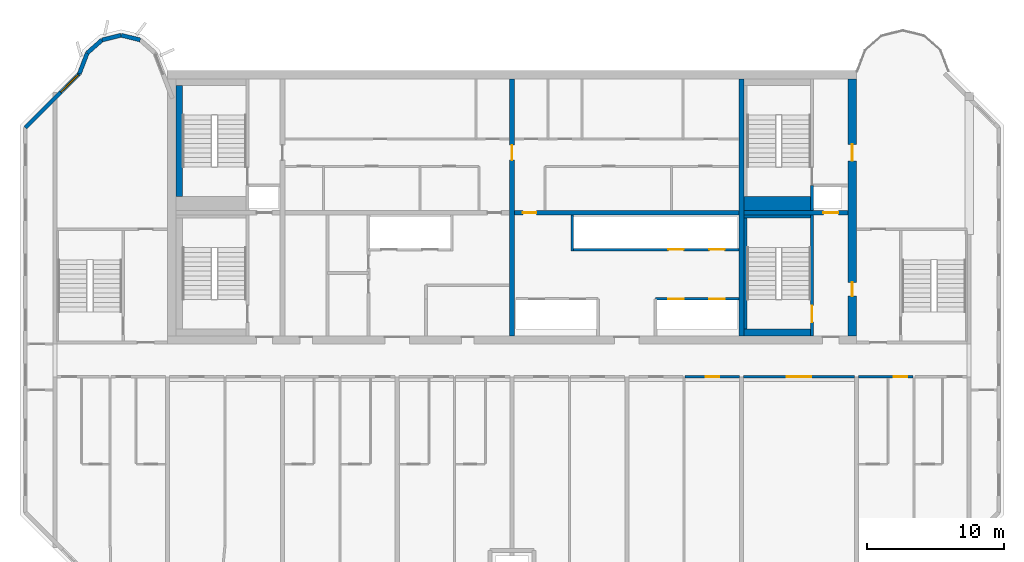
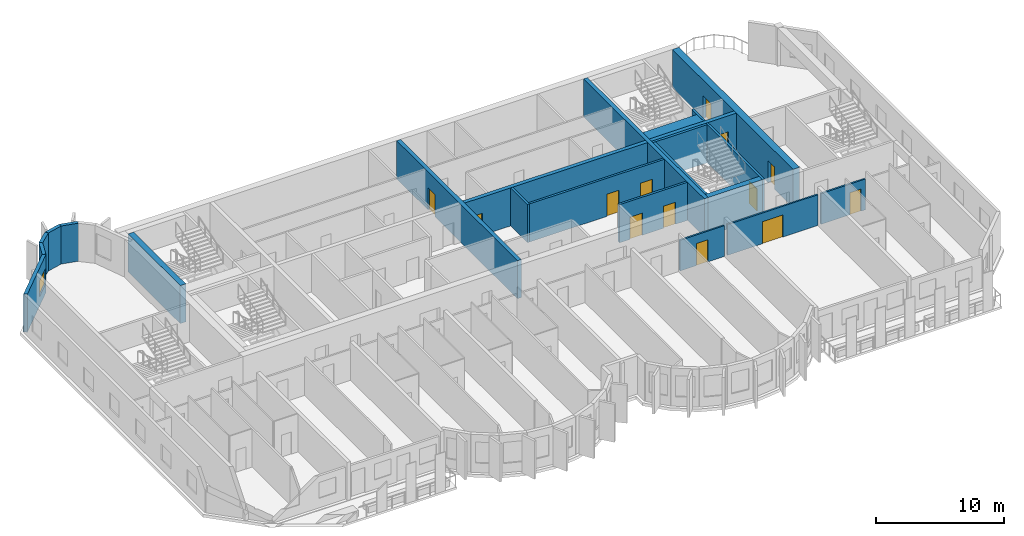
# One storey, part 6 of 12: 23 walls, 13 doors, 1 window, 14 openings.
"""IFC4 building model written with IfcOpenShell, lengths in metres."""

from ifc_helpers import new_model, si_unit, direction, frame, frame_2d, origin, place, context, subcontext, project, spatial, rectangle, extrude, source, transform, mapped, material, layer, layer_set, type_object, element, fill, save


model = new_model("IFC4")

# Units and contexts
model_context = context("Model", 3, precision=1e-05, world=origin(), true_north=direction((0.0, 1.0)))
body_context = subcontext(model_context, "Body", "Model", "MODEL_VIEW")
ifc_project = project(units=[si_unit("LENGTHUNIT", "METRE"), si_unit("AREAUNIT", "SQUARE_METRE"), si_unit("VOLUMEUNIT", "CUBIC_METRE"), si_unit("PLANEANGLEUNIT", "RADIAN"), si_unit("MASSUNIT", "GRAM", prefix="KILO")], contexts=[model_context])

# Site, building, storey
site_placement = place(None, origin())
site = spatial("IfcSite", under=ifc_project, at=site_placement, CompositionType="ELEMENT")
building_placement = place(site_placement, origin())
building = spatial("IfcBuilding", under=site, at=building_placement, Name="Vanashikhar Sky Hotel", CompositionType="ELEMENT")
storey_placement = place(building_placement, frame((0.0, 0.0, 237.39990234375)))
storey = spatial("IfcBuildingStorey", under=building, at=storey_placement, Name="L57", CompositionType="ELEMENT", Elevation=237.39990234375)

# Wall, openings, doors
ifc_material_1 = material(Name="Concrete M60", Category="concrete")
ifc_layer_1 = layer(ifc_material_1, 0.60009765625)
ifc_layer_set_1 = layer_set([ifc_layer_1], Name="RC core shell wall 600 Concrete M60")
wall_type_1 = type_object("IfcWallType", Name="RC core shell wall 600 Concrete M60", PredefinedType="SHEAR", material=ifc_layer_set_1)
shared_shape_1 = source(origin(), body_context, "Body", "SweptSolid", [
    extrude(rectangle(XDim=18.7998046875, YDim=0.60009765625, at=frame_2d((9.39990234375, 0.0))), origin(), (0.0, 0.0, 1.0), 3.6201171875),
])
wall_1_placement = place(storey_placement, frame((75.300048828125, 22.60009765625, 0.0), z_axis=(0.0, 0.0, 1.0), x_axis=(0.0, 1.0, 0.0)))
wall_1 = element("IfcWall", 1, at=wall_1_placement, inside=storey, type_object=wall_type_1, Name="KW-L57-KE", PredefinedType="SHEAR", context=body_context, shape_type="MappedRepresentation", body=[
    mapped(shared_shape_1, transform((0.0, 0.0, 0.0), scale=1.0)),
])
shared_shape_2 = source(origin(), body_context, "Body", "SweptSolid", [
    extrude(rectangle(XDim=1.0, YDim=2.10009765625, at=frame_2d((0.5, 1.050048828125))), frame((0.0, 0.31005859375, 0.0), z_axis=(0.0, -1.0, 0.0), x_axis=(1.0, 0.0, 0.0)), (0.0, 0.0, 1.0), 0.6201171875),
])
opening_1_placement = place(wall_1_placement, frame((2.89990234375, 0.0, 0.0)))
opening_1 = element("IfcOpeningElement", 2, at=opening_1_placement, cuts=wall_1, Name="Opening DC-5", PredefinedType="OPENING", context=body_context, shape_type="MappedRepresentation", body=[
    mapped(shared_shape_2, transform((0.0, 0.0, 0.0), scale=1.0)),
])
shared_shape_3 = source(origin(), body_context, "Body", "SweptSolid", [
    extrude(rectangle(XDim=1.199951171875, YDim=2.10009765625, at=frame_2d((0.60009765625, 1.050048828125))), frame((0.0, 0.31005859375, 0.0), z_axis=(0.0, -1.0, 0.0), x_axis=(1.0, 0.0, 0.0)), (0.0, 0.0, 1.0), 0.6201171875),
])
opening_2_placement = place(wall_1_placement, frame((12.800048828125, 0.0, 0.0)))
opening_2 = element("IfcOpeningElement", 3, at=opening_2_placement, cuts=wall_1, Name="Opening DC-4-D", PredefinedType="OPENING", context=body_context, shape_type="MappedRepresentation", body=[
    mapped(shared_shape_3, transform((0.0, 0.0, 0.0), scale=1.0)),
])
ifc_material_2 = material(Name="Steel", Category="steel")
door_type_1 = type_object("IfcDoorType", Name="Refuge door 1000 FD120", OperationType="NOTDEFINED", PredefinedType="DOOR", material=ifc_material_2)
shared_shape_4 = source(origin(), body_context, "Body", "SweptSolid", [
    extrude(rectangle(XDim=1.0, YDim=2.10009765625, at=frame_2d((0.5, 1.050048828125))), frame((0.0, 0.02490234375, 0.0), z_axis=(0.0, -1.0, 0.0), x_axis=(1.0, 0.0, 0.0)), (0.0, 0.0, 1.0), 0.050048828125),
])
door_1_placement = place(opening_1_placement, origin())
door_1 = element("IfcDoor", 4, at=door_1_placement, inside=storey, type_object=door_type_1, Name="Refuge door 1000 FD120", OperationType="SINGLE_SWING_LEFT", OverallHeight=2.10009765625, OverallWidth=1.0, PredefinedType="DOOR", context=body_context, shape_type="MappedRepresentation", body=[
    mapped(shared_shape_4, transform((0.0, 0.0, 0.0), scale=1.0)),
])
fill(opening_1, door_1)
door_type_2 = type_object("IfcDoorType", Name="Service door 1200 FD120", OperationType="NOTDEFINED", PredefinedType="DOOR", material=ifc_material_2)
shared_shape_5 = source(origin(), body_context, "Body", "SweptSolid", [
    extrude(rectangle(XDim=1.199951171875, YDim=2.10009765625, at=frame_2d((0.60009765625, 1.050048828125))), frame((0.0, 0.02490234375, 0.0), z_axis=(0.0, -1.0, 0.0), x_axis=(1.0, 0.0, 0.0)), (0.0, 0.0, 1.0), 0.050048828125),
])
door_2_placement = place(opening_2_placement, origin())
door_2 = element("IfcDoor", 5, at=door_2_placement, inside=storey, type_object=door_type_2, Name="Service door 1200 FD120", OperationType="SINGLE_SWING_RIGHT", OverallHeight=2.10009765625, OverallWidth=1.199951171875, PredefinedType="DOOR", context=body_context, shape_type="MappedRepresentation", body=[
    mapped(shared_shape_5, transform((0.0, 0.0, 0.0), scale=1.0)),
])
fill(opening_2, door_2)

# Wall, opening, door
ifc_layer_2 = layer(ifc_material_1, 0.35009765625)
ifc_layer_set_2 = layer_set([ifc_layer_2], Name="RC core inner wall 350 Concrete M60")
wall_type_2 = type_object("IfcWallType", Name="RC core inner wall 350 Concrete M60", PredefinedType="SHEAR", material=ifc_layer_set_2)
shared_shape_6 = source(origin(), body_context, "Body", "SweptSolid", [
    extrude(rectangle(XDim=18.7998046875, YDim=0.35009765625, at=frame_2d((9.39990234375, 0.0))), origin(), (0.0, 0.0, 1.0), 3.6201171875),
])
wall_2_placement = place(storey_placement, frame((50.39990234375, 22.60009765625, 0.0), z_axis=(0.0, 0.0, 1.0), x_axis=(0.0, 1.0, 0.0)))
wall_2 = element("IfcWall", 6, at=wall_2_placement, inside=storey, type_object=wall_type_2, Name="KW-L57-KX2", PredefinedType="SHEAR", context=body_context, shape_type="MappedRepresentation", body=[
    mapped(shared_shape_6, transform((0.0, 0.0, 0.0), scale=1.0)),
])
shared_shape_7 = source(origin(), body_context, "Body", "SweptSolid", [
    extrude(rectangle(XDim=1.10009765625, YDim=2.10009765625, at=frame_2d((0.550048828125, 1.050048828125))), frame((0.0, 0.18505859375, 0.0), z_axis=(0.0, -1.0, 0.0), x_axis=(1.0, 0.0, 0.0)), (0.0, 0.0, 1.0), 0.3701171875),
])
opening_3_placement = place(wall_2_placement, frame((12.85009765625, 0.0, 0.0)))
opening_3 = element("IfcOpeningElement", 7, at=opening_3_placement, cuts=wall_2, Name="Opening DC-4-C", PredefinedType="OPENING", context=body_context, shape_type="MappedRepresentation", body=[
    mapped(shared_shape_7, transform((0.0, 0.0, 0.0), scale=1.0)),
])
door_type_3 = type_object("IfcDoorType", Name="Service door 1100 FD60", OperationType="NOTDEFINED", PredefinedType="DOOR", material=ifc_material_2)
shared_shape_8 = source(origin(), body_context, "Body", "SweptSolid", [
    extrude(rectangle(XDim=1.10009765625, YDim=2.10009765625, at=frame_2d((0.550048828125, 1.050048828125))), frame((0.0, 0.02490234375, 0.0), z_axis=(0.0, -1.0, 0.0), x_axis=(1.0, 0.0, 0.0)), (0.0, 0.0, 1.0), 0.050048828125),
])
door_3_placement = place(opening_3_placement, origin())
door_3 = element("IfcDoor", 8, at=door_3_placement, inside=storey, type_object=door_type_3, Name="Service door 1100 FD60", OperationType="SINGLE_SWING_LEFT", OverallHeight=2.10009765625, OverallWidth=1.10009765625, PredefinedType="DOOR", context=body_context, shape_type="MappedRepresentation", body=[
    mapped(shared_shape_8, transform((0.0, 0.0, 0.0), scale=1.0)),
])
fill(opening_3, door_3)

# Wall
wall_3_placement = place(storey_placement, frame((67.199951171875, 22.60009765625, 0.0), z_axis=(0.0, 0.0, 1.0), x_axis=(0.0, 1.0, 0.0)))
element("IfcWall", 9, at=wall_3_placement, inside=storey, type_object=wall_type_2, Name="KW-L57-KX3", PredefinedType="SHEAR", context=body_context, shape_type="MappedRepresentation", body=[
    mapped(shared_shape_6, transform((0.0, 0.0, 0.0), scale=1.0)),
])

# Wall, opening, door
shared_shape_9 = source(origin(), body_context, "Body", "SweptSolid", [
    extrude(rectangle(XDim=7.625, YDim=0.35009765625, at=frame_2d((3.8125, 0.0))), origin(), (0.0, 0.0, 1.0), 3.6201171875),
])
wall_4_placement = place(storey_placement, frame((67.375, 31.60009765625, 0.0), z_axis=(0.0, 0.0, 1.0), x_axis=(1.0, 0.0, 0.0)))
wall_4 = element("IfcWall", 10, at=wall_4_placement, inside=storey, type_object=wall_type_2, Name="KW-L57-KY4", PredefinedType="SHEAR", context=body_context, shape_type="MappedRepresentation", body=[
    mapped(shared_shape_9, transform((0.0, 0.0, 0.0), scale=1.0)),
])
opening_4_placement = place(wall_4_placement, frame((5.800048828125, 0.0, 0.0)))
opening_4 = element("IfcOpeningElement", 11, at=opening_4_placement, cuts=wall_4, Name="Opening LD", PredefinedType="OPENING", context=body_context, shape_type="MappedRepresentation", body=[
    mapped(shared_shape_7, transform((0.0, 0.0, 0.0), scale=1.0)),
])
ifc_material_3 = material(Name="Stainless steel", Category="steel")
door_type_4 = type_object("IfcDoorType", Name="Lift landing door 1100", OperationType="NOTDEFINED", PredefinedType="DOOR", material=ifc_material_3)
door_4_placement = place(opening_4_placement, origin())
door_4 = element("IfcDoor", 12, at=door_4_placement, inside=storey, type_object=door_type_4, Name="Lift landing door 1100", OperationType="SLIDING_TO_RIGHT", OverallHeight=2.10009765625, OverallWidth=1.10009765625, PredefinedType="DOOR", context=body_context, shape_type="MappedRepresentation", body=[
    mapped(shared_shape_8, transform((0.0, 0.0, 0.0), scale=1.0)),
])
fill(opening_4, door_4)

shared_shape_10 = source(origin(), body_context, "Body", "SweptSolid", [
    extrude(rectangle(XDim=16.449951171875, YDim=0.35009765625, at=frame_2d((8.22509765625, 0.0))), origin(), (0.0, 0.0, 1.0), 3.6201171875),
])
wall_5_placement = place(storey_placement, frame((50.574951171875, 31.60009765625, 0.0), z_axis=(0.0, 0.0, 1.0), x_axis=(1.0, 0.0, 0.0)))
wall_5 = element("IfcWall", 13, at=wall_5_placement, inside=storey, type_object=wall_type_2, Name="KW-L57-KY3", PredefinedType="SHEAR", context=body_context, shape_type="MappedRepresentation", body=[
    mapped(shared_shape_10, transform((0.0, 0.0, 0.0), scale=1.0)),
])
shared_shape_11 = source(origin(), body_context, "Body", "SweptSolid", [
    extrude(rectangle(XDim=1.0, YDim=2.10009765625, at=frame_2d((0.5, 1.050048828125))), frame((0.0, 0.18505859375, 0.0), z_axis=(0.0, -1.0, 0.0), x_axis=(1.0, 0.0, 0.0)), (0.0, 0.0, 1.0), 0.3701171875),
])
opening_5_placement = place(wall_5_placement, frame((0.613037109375, 0.0, 0.0)))
opening_5 = element("IfcOpeningElement", 14, at=opening_5_placement, cuts=wall_5, Name="Opening DC-4", PredefinedType="OPENING", context=body_context, shape_type="MappedRepresentation", body=[
    mapped(shared_shape_11, transform((0.0, 0.0, 0.0), scale=1.0)),
])
door_type_5 = type_object("IfcDoorType", Name="Service door 1000 FD60", OperationType="NOTDEFINED", PredefinedType="DOOR", material=ifc_material_2)
door_5_placement = place(opening_5_placement, origin())
door_5 = element("IfcDoor", 15, at=door_5_placement, inside=storey, type_object=door_type_5, Name="Service door 1000 FD60", OperationType="SINGLE_SWING_RIGHT", OverallHeight=2.10009765625, OverallWidth=1.0, PredefinedType="DOOR", context=body_context, shape_type="MappedRepresentation", body=[
    mapped(shared_shape_4, transform((0.0, 0.0, 0.0), scale=1.0)),
])
fill(opening_5, door_5)

# Wall, opening, window
ifc_material_4 = material(Name="Concrete M50", Category="concrete")
ifc_layer_3 = layer(ifc_material_4, 0.300048828125)
ifc_layer_set_3 = layer_set([ifc_layer_3], Name="Lobe wall 300")
wall_type_3 = type_object("IfcWallType", Name="Lobe wall 300", PredefinedType="SOLIDWALL", material=ifc_layer_set_3)
shared_shape_12 = source(origin(), body_context, "Body", "SweptSolid", [
    extrude(rectangle(XDim=5.576416015625, YDim=0.300048828125, at=frame_2d((2.7880859375, 0.0))), origin(), (0.0, 0.0, 1.0), 3.6201171875),
])
wall_6_placement = place(storey_placement, frame((18.7431640625, 41.77734375, 0.0), z_axis=(0.0, 0.0, 1.0), x_axis=(-0.707106781187, -0.707106781187, 0.0)))
wall_6 = element("IfcWall", 16, at=wall_6_placement, inside=storey, type_object=wall_type_3, Name="Corner wall", PredefinedType="SOLIDWALL", context=body_context, shape_type="MappedRepresentation", body=[
    mapped(shared_shape_12, transform((0.0, 0.0, 0.0), scale=1.0)),
])
shared_shape_13 = source(origin(), body_context, "Body", "SweptSolid", [
    extrude(rectangle(XDim=1.800048828125, YDim=1.5, at=frame_2d((0.89990234375, 0.75))), frame((0.0, 0.16015625, 0.0), z_axis=(0.0, -1.0, 0.0), x_axis=(1.0, 0.0, 0.0)), (0.0, 0.0, 1.0), 0.320068359375),
])
opening_6_placement = place(wall_6_placement, frame((0.117919921875, 0.0, 0.89990234375)))
opening_6 = element("IfcOpeningElement", 17, at=opening_6_placement, cuts=wall_6, Name="Opening WN-4", PredefinedType="OPENING", context=body_context, shape_type="MappedRepresentation", body=[
    mapped(shared_shape_13, transform((0.0, 0.0, 0.0), scale=1.0)),
])
ifc_material_5 = material(Name="Glass", Category="glass")
window_type = type_object("IfcWindowType", Name="Corner window 1800 x 1500", PartitioningType="SINGLE_PANEL", PredefinedType="WINDOW", material=ifc_material_5)
shared_shape_14 = source(origin(), body_context, "Body", "SweptSolid", [
    extrude(rectangle(XDim=1.800048828125, YDim=1.5, at=frame_2d((0.89990234375, 0.75))), frame((0.0, 0.030029296875, 0.0), z_axis=(0.0, -1.0, 0.0), x_axis=(1.0, 0.0, 0.0)), (0.0, 0.0, 1.0), 0.06005859375),
])
window_placement = place(opening_6_placement, origin())
window = element("IfcWindow", 18, at=window_placement, inside=storey, type_object=window_type, Name="Window WN-4", OverallHeight=1.5, OverallWidth=1.800048828125, PartitioningType="SINGLE_PANEL", PredefinedType="WINDOW", context=body_context, shape_type="MappedRepresentation", body=[
    mapped(shared_shape_14, transform((0.0, 0.0, 0.0), scale=1.0)),
])
fill(opening_6, window)

# Walls
shared_shape_15 = source(origin(), body_context, "Body", "SweptSolid", [
    extrude(rectangle(XDim=1.6220703125, YDim=0.300048828125, at=frame_2d((0.81103515625, 0.0))), origin(), (0.0, 0.0, 1.0), 3.6201171875),
])
wall_7_placement = place(storey_placement, frame((19.323486328125, 43.2919921875, 0.0), z_axis=(0.0, 0.0, 1.0), x_axis=(-0.357778527068, -0.933806471154, 0.0)))
element("IfcWall", 19, at=wall_7_placement, inside=storey, type_object=wall_type_3, Name="Lobe wall", PredefinedType="SOLIDWALL", context=body_context, shape_type="MappedRepresentation", body=[
    mapped(shared_shape_15, transform((0.0, 0.0, 0.0), scale=1.0)),
])
shared_shape_16 = source(origin(), body_context, "Body", "SweptSolid", [
    extrude(rectangle(XDim=1.43994140625, YDim=0.300048828125, at=frame_2d((0.719970703125, 0.0))), origin(), (0.0, 0.0, 1.0), 3.6201171875),
])
wall_8_placement = place(storey_placement, frame((20.40283203125, 44.2451171875, 0.0), z_axis=(0.0, 0.0, 1.0), x_axis=(-0.74957555648, -0.661918790432, 0.0)))
element("IfcWall", 20, at=wall_8_placement, inside=storey, type_object=wall_type_3, Name="Lobe wall", PredefinedType="SOLIDWALL", context=body_context, shape_type="MappedRepresentation", body=[
    mapped(shared_shape_16, transform((0.0, 0.0, 0.0), scale=1.0)),
])
shared_shape_17 = source(origin(), body_context, "Body", "SweptSolid", [
    extrude(rectangle(XDim=1.438720703125, YDim=0.300048828125, at=frame_2d((0.71923828125, 0.0))), origin(), (0.0, 0.0, 1.0), 3.6201171875),
])
wall_9_placement = place(storey_placement, frame((21.800048828125, 44.588134765625, 0.0), z_axis=(0.0, 0.0, 1.0), x_axis=(-0.971161932466, -0.238420848351, 0.0)))
element("IfcWall", 21, at=wall_9_placement, inside=storey, type_object=wall_type_3, Name="Lobe wall", PredefinedType="SOLIDWALL", context=body_context, shape_type="MappedRepresentation", body=[
    mapped(shared_shape_17, transform((0.0, 0.0, 0.0), scale=1.0)),
])
shared_shape_18 = source(origin(), body_context, "Body", "SweptSolid", [
    extrude(rectangle(XDim=1.4384765625, YDim=0.300048828125, at=frame_2d((0.71923828125, 0.0))), origin(), (0.0, 0.0, 1.0), 3.6201171875),
])
wall_10_placement = place(storey_placement, frame((23.197021484375, 44.2451171875, 0.0), z_axis=(0.0, 0.0, 1.0), x_axis=(-0.971152283879, 0.238460146601, 0.0)))
element("IfcWall", 22, at=wall_10_placement, inside=storey, type_object=wall_type_3, Name="Lobe wall", PredefinedType="SOLIDWALL", context=body_context, shape_type="MappedRepresentation", body=[
    mapped(shared_shape_18, transform((0.0, 0.0, 0.0), scale=1.0)),
])
ifc_material_6 = material(Name="Concrete M40", Category="concrete")
ifc_layer_4 = layer(ifc_material_6, 0.199951171875)
ifc_layer_set_4 = layer_set([ifc_layer_4], Name="Shaft wall 200")
wall_type_4 = type_object("IfcWallType", Name="Shaft wall 200", PredefinedType="SOLIDWALL", material=ifc_layer_set_4)
shared_shape_19 = source(origin(), body_context, "Body", "SweptSolid", [
    extrude(rectangle(XDim=2.625, YDim=0.199951171875, at=frame_2d((1.3125, 0.0))), origin(), (0.0, 0.0, 1.0), 3.6201171875),
])
wall_11_placement = place(storey_placement, frame((54.800048828125, 28.800048828125, 0.0), z_axis=(0.0, 0.0, 1.0), x_axis=(0.0, 1.0, 0.0)))
element("IfcWall", 23, at=wall_11_placement, inside=storey, type_object=wall_type_4, Name="Shaft wall 200", PredefinedType="SOLIDWALL", context=body_context, shape_type="MappedRepresentation", body=[
    mapped(shared_shape_19, transform((0.0, 0.0, 0.0), scale=1.0)),
])

# Wall, openings, doors
shared_shape_20 = source(origin(), body_context, "Body", "SweptSolid", [
    extrude(rectangle(XDim=6.125, YDim=0.199951171875, at=frame_2d((3.0625, 0.0))), origin(), (0.0, 0.0, 1.0), 3.6201171875),
])
wall_12_placement = place(storey_placement, frame((67.02490234375, 25.300048828125, 0.0), z_axis=(0.0, 0.0, 1.0), x_axis=(-1.0, 0.0, 0.0)))
wall_12 = element("IfcWall", 24, at=wall_12_placement, inside=storey, type_object=wall_type_4, Name="Shaft wall 200", PredefinedType="SOLIDWALL", context=body_context, shape_type="MappedRepresentation", body=[
    mapped(shared_shape_20, transform((0.0, 0.0, 0.0), scale=1.0)),
])
shared_shape_21 = source(origin(), body_context, "Body", "SweptSolid", [
    extrude(rectangle(XDim=1.10009765625, YDim=2.10009765625, at=frame_2d((0.550048828125, 1.050048828125))), frame((0.0, 0.10986328125, 0.0), z_axis=(0.0, -1.0, 0.0), x_axis=(1.0, 0.0, 0.0)), (0.0, 0.0, 1.0), 0.219970703125),
])
opening_7_placement = place(wall_12_placement, frame((1.074951171875, 0.0, 0.0)))
opening_7 = element("IfcOpeningElement", 25, at=opening_7_placement, cuts=wall_12, Name="Opening LD", PredefinedType="OPENING", context=body_context, shape_type="MappedRepresentation", body=[
    mapped(shared_shape_21, transform((0.0, 0.0, 0.0), scale=1.0)),
])
opening_8_placement = place(wall_12_placement, frame((4.074951171875, 0.0, 0.0)))
opening_8 = element("IfcOpeningElement", 26, at=opening_8_placement, cuts=wall_12, Name="Opening LD", PredefinedType="OPENING", context=body_context, shape_type="MappedRepresentation", body=[
    mapped(shared_shape_21, transform((0.0, 0.0, 0.0), scale=1.0)),
])
door_6_placement = place(opening_7_placement, origin())
door_6 = element("IfcDoor", 27, at=door_6_placement, inside=storey, type_object=door_type_4, Name="Lift landing door 1100", OperationType="SLIDING_TO_RIGHT", OverallHeight=2.10009765625, OverallWidth=1.10009765625, PredefinedType="DOOR", context=body_context, shape_type="MappedRepresentation", body=[
    mapped(shared_shape_8, transform((0.0, 0.0, 0.0), scale=1.0)),
])
fill(opening_7, door_6)
door_7_placement = place(opening_8_placement, origin())
door_7 = element("IfcDoor", 28, at=door_7_placement, inside=storey, type_object=door_type_4, Name="Lift landing door 1100", OperationType="SLIDING_TO_LEFT", OverallHeight=2.10009765625, OverallWidth=1.10009765625, PredefinedType="DOOR", context=body_context, shape_type="MappedRepresentation", body=[
    mapped(shared_shape_8, transform((0.0, 0.0, 0.0), scale=1.0)),
])
fill(opening_8, door_7)

shared_shape_22 = source(origin(), body_context, "Body", "SweptSolid", [
    extrude(rectangle(XDim=12.125, YDim=0.199951171875, at=frame_2d((6.0625, 0.0))), origin(), (0.0, 0.0, 1.0), 3.6201171875),
])
wall_13_placement = place(storey_placement, frame((67.02490234375, 28.89990234375, 0.0), z_axis=(0.0, 0.0, 1.0), x_axis=(-1.0, 0.0, 0.0)))
wall_13 = element("IfcWall", 29, at=wall_13_placement, inside=storey, type_object=wall_type_4, Name="Shaft wall 200", PredefinedType="SOLIDWALL", context=body_context, shape_type="MappedRepresentation", body=[
    mapped(shared_shape_22, transform((0.0, 0.0, 0.0), scale=1.0)),
])
opening_9_placement = place(wall_13_placement, frame((1.074951171875, 0.0, 0.0)))
opening_9 = element("IfcOpeningElement", 30, at=opening_9_placement, cuts=wall_13, Name="Opening LD", PredefinedType="OPENING", context=body_context, shape_type="MappedRepresentation", body=[
    mapped(shared_shape_21, transform((0.0, 0.0, 0.0), scale=1.0)),
])
opening_10_placement = place(wall_13_placement, frame((4.074951171875, 0.0, 0.0)))
opening_10 = element("IfcOpeningElement", 31, at=opening_10_placement, cuts=wall_13, Name="Opening LD", PredefinedType="OPENING", context=body_context, shape_type="MappedRepresentation", body=[
    mapped(shared_shape_21, transform((0.0, 0.0, 0.0), scale=1.0)),
])
door_8_placement = place(opening_9_placement, origin())
door_8 = element("IfcDoor", 32, at=door_8_placement, inside=storey, type_object=door_type_4, Name="Lift landing door 1100", OperationType="SLIDING_TO_RIGHT", OverallHeight=2.10009765625, OverallWidth=1.10009765625, PredefinedType="DOOR", context=body_context, shape_type="MappedRepresentation", body=[
    mapped(shared_shape_8, transform((0.0, 0.0, 0.0), scale=1.0)),
])
fill(opening_9, door_8)
door_9_placement = place(opening_10_placement, origin())
door_9 = element("IfcDoor", 33, at=door_9_placement, inside=storey, type_object=door_type_4, Name="Lift landing door 1100", OperationType="SLIDING_TO_LEFT", OverallHeight=2.10009765625, OverallWidth=1.10009765625, PredefinedType="DOOR", context=body_context, shape_type="MappedRepresentation", body=[
    mapped(shared_shape_8, transform((0.0, 0.0, 0.0), scale=1.0)),
])
fill(opening_10, door_9)

# Wall, opening, door
ifc_layer_5 = layer(ifc_material_4, 0.199951171875)
ifc_layer_set_5 = layer_set([ifc_layer_5], Name="Stair wall 200")
wall_type_5 = type_object("IfcWallType", Name="Stair wall 200", PredefinedType="SOLIDWALL", material=ifc_layer_set_5)
shared_shape_23 = source(origin(), body_context, "Body", "SweptSolid", [
    extrude(rectangle(XDim=8.824951171875, YDim=0.199951171875, at=frame_2d((4.41259765625, 0.0))), origin(), (0.0, 0.0, 1.0), 3.6201171875),
])
wall_14_placement = place(storey_placement, frame((72.35009765625, 22.60009765625, 0.0), z_axis=(0.0, 0.0, 1.0), x_axis=(0.0, 1.0, 0.0)))
wall_14 = element("IfcWall", 34, at=wall_14_placement, inside=storey, type_object=wall_type_5, Name="Stair wall 200", PredefinedType="SOLIDWALL", context=body_context, shape_type="MappedRepresentation", body=[
    mapped(shared_shape_23, transform((0.0, 0.0, 0.0), scale=1.0)),
])
shared_shape_24 = source(origin(), body_context, "Body", "SweptSolid", [
    extrude(rectangle(XDim=1.199951171875, YDim=2.10009765625, at=frame_2d((0.60009765625, 1.050048828125))), frame((0.0, 0.10986328125, 0.0), z_axis=(0.0, -1.0, 0.0), x_axis=(1.0, 0.0, 0.0)), (0.0, 0.0, 1.0), 0.219970703125),
])
opening_11_placement = place(wall_14_placement, frame((1.0, 0.0, 0.0)))
opening_11 = element("IfcOpeningElement", 35, at=opening_11_placement, cuts=wall_14, Name="Opening DC-1", PredefinedType="OPENING", context=body_context, shape_type="MappedRepresentation", body=[
    mapped(shared_shape_24, transform((0.0, 0.0, 0.0), scale=1.0)),
])
door_type_6 = type_object("IfcDoorType", Name="Stair door 1200 FD120", OperationType="NOTDEFINED", PredefinedType="DOOR", material=ifc_material_2)
door_10_placement = place(opening_11_placement, origin())
door_10 = element("IfcDoor", 36, at=door_10_placement, inside=storey, type_object=door_type_6, Name="Stair door 1200 FD120", OperationType="SINGLE_SWING_RIGHT", OverallHeight=2.10009765625, OverallWidth=1.199951171875, PredefinedType="DOOR", context=body_context, shape_type="MappedRepresentation", body=[
    mapped(shared_shape_5, transform((0.0, 0.0, 0.0), scale=1.0)),
])
fill(opening_11, door_10)

# Walls
shared_shape_25 = source(origin(), body_context, "Body", "SweptSolid", [
    extrude(rectangle(XDim=1.8251953125, YDim=0.199951171875, at=frame_2d((0.91259765625, 0.0))), origin(), (0.0, 0.0, 1.0), 3.6201171875),
])
wall_15_placement = place(storey_placement, frame((72.35009765625, 31.77490234375, 0.0), z_axis=(0.0, 0.0, 1.0), x_axis=(0.0, 1.0, 0.0)))
element("IfcWall", 37, at=wall_15_placement, inside=storey, type_object=wall_type_4, Name="Shaft wall 200", PredefinedType="SOLIDWALL", context=body_context, shape_type="MappedRepresentation", body=[
    mapped(shared_shape_25, transform((0.0, 0.0, 0.0), scale=1.0)),
])
ifc_layer_6 = layer(ifc_material_4, 0.5)
ifc_layer_set_6 = layer_set([ifc_layer_6], Name="Stair infill wall 500")
wall_type_6 = type_object("IfcWallType", Name="Stair infill wall 500", PredefinedType="SOLIDWALL", material=ifc_layer_set_6)
shared_shape_26 = source(origin(), body_context, "Body", "SweptSolid", [
    extrude(rectangle(XDim=8.099853515625, YDim=0.5, at=frame_2d((4.0498046875, 0.0))), origin(), (0.0, 0.0, 1.0), 3.6201171875),
])
wall_16_placement = place(storey_placement, frame((26.050048828125, 32.800048828125, 0.0), z_axis=(0.0, 0.0, 1.0), x_axis=(0.0, 1.0, 0.0)))
element("IfcWall", 38, at=wall_16_placement, inside=storey, type_object=wall_type_6, Name="Stair infill wall 500", PredefinedType="SOLIDWALL", context=body_context, shape_type="MappedRepresentation", body=[
    mapped(shared_shape_26, transform((0.0, 0.0, 0.0), scale=1.0)),
])
shared_shape_27 = source(origin(), body_context, "Body", "SweptSolid", [
    extrude(rectangle(XDim=4.875, YDim=0.5, at=frame_2d((2.4375, 0.0))), origin(), (0.0, 0.0, 1.0), 3.6201171875),
])
wall_17_placement = place(storey_placement, frame((67.375, 22.85009765625, 0.0), z_axis=(0.0, 0.0, 1.0), x_axis=(1.0, 0.0, 0.0)))
element("IfcWall", 39, at=wall_17_placement, inside=storey, type_object=wall_type_6, Name="Stair infill wall 500", PredefinedType="SOLIDWALL", context=body_context, shape_type="MappedRepresentation", body=[
    mapped(shared_shape_27, transform((0.0, 0.0, 0.0), scale=1.0)),
])
ifc_layer_7 = layer(ifc_material_4, 0.22509765625)
ifc_layer_set_7 = layer_set([ifc_layer_7], Name="Stair infill wall 225")
wall_type_7 = type_object("IfcWallType", Name="Stair infill wall 225", PredefinedType="SOLIDWALL", material=ifc_layer_set_7)
shared_shape_28 = source(origin(), body_context, "Body", "SweptSolid", [
    extrude(rectangle(XDim=4.875, YDim=0.22509765625, at=frame_2d((2.4375, 0.0))), origin(), (0.0, 0.0, 1.0), 3.6201171875),
])
wall_18_placement = place(storey_placement, frame((67.375, 31.31201171875, 0.0), z_axis=(0.0, 0.0, 1.0), x_axis=(1.0, 0.0, 0.0)))
element("IfcWall", 40, at=wall_18_placement, inside=storey, type_object=wall_type_7, Name="Stair infill wall 225", PredefinedType="SOLIDWALL", context=body_context, shape_type="MappedRepresentation", body=[
    mapped(shared_shape_28, transform((0.0, 0.0, 0.0), scale=1.0)),
])
shared_shape_29 = source(origin(), body_context, "Body", "SweptSolid", [
    extrude(rectangle(XDim=8.099853515625, YDim=0.22509765625, at=frame_2d((4.0498046875, 0.0))), origin(), (0.0, 0.0, 1.0), 3.6201171875),
])
wall_19_placement = place(storey_placement, frame((67.487060546875, 23.10009765625, 0.0), z_axis=(0.0, 0.0, 1.0), x_axis=(0.0, 1.0, 0.0)))
element("IfcWall", 41, at=wall_19_placement, inside=storey, type_object=wall_type_7, Name="Stair infill wall 225", PredefinedType="SOLIDWALL", context=body_context, shape_type="MappedRepresentation", body=[
    mapped(shared_shape_29, transform((0.0, 0.0, 0.0), scale=1.0)),
])
ifc_layer_8 = layer(ifc_material_4, 1.02490234375)
ifc_layer_set_8 = layer_set([ifc_layer_8], Name="Stair infill wall 1025")
wall_type_8 = type_object("IfcWallType", Name="Stair infill wall 1025", PredefinedType="SOLIDWALL", material=ifc_layer_set_8)
shared_shape_30 = source(origin(), body_context, "Body", "SweptSolid", [
    extrude(rectangle(XDim=4.875, YDim=1.02490234375, at=frame_2d((2.4375, 0.0))), origin(), (0.0, 0.0, 1.0), 3.6201171875),
])
wall_20_placement = place(storey_placement, frame((67.375, 32.287109375, 0.0), z_axis=(0.0, 0.0, 1.0), x_axis=(1.0, 0.0, 0.0)))
element("IfcWall", 42, at=wall_20_placement, inside=storey, type_object=wall_type_8, Name="Stair infill wall 1025", PredefinedType="SOLIDWALL", context=body_context, shape_type="MappedRepresentation", body=[
    mapped(shared_shape_30, transform((0.0, 0.0, 0.0), scale=1.0)),
])

# Wall, opening, door
ifc_material_7 = material(Name="Gypsum plasterboard partition")
ifc_layer_9 = layer(ifc_material_7, 0.14990234375)
ifc_layer_set_9 = layer_set([ifc_layer_9], Name="Corridor and demising partition 150")
wall_type_9 = type_object("IfcWallType", Name="Corridor and demising partition 150", PredefinedType="PARTITIONING", material=ifc_layer_set_9)
shared_shape_31 = source(origin(), body_context, "Body", "SweptSolid", [
    extrude(rectangle(XDim=3.97509765625, YDim=0.14990234375, at=frame_2d((1.987548828125, 0.0))), origin(), (0.0, 0.0, 1.0), 2.920166015625),
])
wall_21_placement = place(storey_placement, frame((63.074951171875, 19.60009765625, 0.0), z_axis=(0.0, 0.0, 1.0), x_axis=(1.0, 0.0, 0.0)))
wall_21 = element("IfcWall", 43, at=wall_21_placement, inside=storey, type_object=wall_type_9, Name="W-L57-PW029", PredefinedType="PARTITIONING", context=body_context, shape_type="MappedRepresentation", body=[
    mapped(shared_shape_31, transform((0.0, 0.0, 0.0), scale=1.0)),
])
shared_shape_32 = source(origin(), body_context, "Body", "SweptSolid", [
    extrude(rectangle(XDim=1.0, YDim=2.10009765625, at=frame_2d((0.5, 1.050048828125))), frame((0.0, 0.0849609375, 0.0), z_axis=(0.0, -1.0, 0.0), x_axis=(1.0, 0.0, 0.0)), (0.0, 0.0, 1.0), 0.169921875),
])
opening_12_placement = place(wall_21_placement, frame((1.487060546875, 0.0, 0.0)))
opening_12 = element("IfcOpeningElement", 44, at=opening_12_placement, cuts=wall_21, Name="Opening D-01", PredefinedType="OPENING", context=body_context, shape_type="MappedRepresentation", body=[
    mapped(shared_shape_32, transform((0.0, 0.0, 0.0), scale=1.0)),
])
ifc_material_8 = material(Name="Timber fire door", Category="wood")
door_type_7 = type_object("IfcDoorType", Name="Guest entry door 1000 FD30S", OperationType="NOTDEFINED", PredefinedType="DOOR", material=ifc_material_8)
door_11_placement = place(opening_12_placement, origin())
door_11 = element("IfcDoor", 45, at=door_11_placement, inside=storey, type_object=door_type_7, Name="D-L57-018", OperationType="SINGLE_SWING_RIGHT", OverallHeight=2.10009765625, OverallWidth=1.0, PredefinedType="DOOR", context=body_context, shape_type="MappedRepresentation", body=[
    mapped(shared_shape_4, transform((0.0, 0.0, 0.0), scale=1.0)),
])
fill(opening_12, door_11)

wall_22_placement = place(storey_placement, frame((75.75, 19.60009765625, 0.0), z_axis=(0.0, 0.0, 1.0), x_axis=(1.0, 0.0, 0.0)))
wall_22 = element("IfcWall", 46, at=wall_22_placement, inside=storey, type_object=wall_type_9, Name="W-L57-PW034", PredefinedType="PARTITIONING", context=body_context, shape_type="MappedRepresentation", body=[
    mapped(shared_shape_31, transform((0.0, 0.0, 0.0), scale=1.0)),
])
opening_13_placement = place(wall_22_placement, frame((2.574951171875, 0.0, 0.0)))
opening_13 = element("IfcOpeningElement", 47, at=opening_13_placement, cuts=wall_22, Name="Opening D-01", PredefinedType="OPENING", context=body_context, shape_type="MappedRepresentation", body=[
    mapped(shared_shape_32, transform((0.0, 0.0, 0.0), scale=1.0)),
])
door_12_placement = place(opening_13_placement, origin())
door_12 = element("IfcDoor", 48, at=door_12_placement, inside=storey, type_object=door_type_7, Name="D-L57-021", OperationType="SINGLE_SWING_RIGHT", OverallHeight=2.10009765625, OverallWidth=1.0, PredefinedType="DOOR", context=body_context, shape_type="MappedRepresentation", body=[
    mapped(shared_shape_4, transform((0.0, 0.0, 0.0), scale=1.0)),
])
fill(opening_13, door_12)

shared_shape_33 = source(origin(), body_context, "Body", "SweptSolid", [
    extrude(rectangle(XDim=8.099853515625, YDim=0.14990234375, at=frame_2d((4.0498046875, 0.0))), origin(), (0.0, 0.0, 1.0), 2.920166015625),
])
wall_23_placement = place(storey_placement, frame((67.35009765625, 19.60009765625, 0.0), z_axis=(0.0, 0.0, 1.0), x_axis=(1.0, 0.0, 0.0)))
wall_23 = element("IfcWall", 49, at=wall_23_placement, inside=storey, type_object=wall_type_9, Name="W-L57-PW031", PredefinedType="PARTITIONING", context=body_context, shape_type="MappedRepresentation", body=[
    mapped(shared_shape_33, transform((0.0, 0.0, 0.0), scale=1.0)),
])
shared_shape_34 = source(origin(), body_context, "Body", "SweptSolid", [
    extrude(rectangle(XDim=1.800048828125, YDim=2.10009765625, at=frame_2d((0.89990234375, 1.050048828125))), frame((0.0, 0.0849609375, 0.0), z_axis=(0.0, -1.0, 0.0), x_axis=(1.0, 0.0, 0.0)), (0.0, 0.0, 1.0), 0.169921875),
])
opening_14_placement = place(wall_23_placement, frame((3.14990234375, 0.0, 0.0)))
opening_14 = element("IfcOpeningElement", 50, at=opening_14_placement, cuts=wall_23, Name="Opening D-03", PredefinedType="OPENING", context=body_context, shape_type="MappedRepresentation", body=[
    mapped(shared_shape_34, transform((0.0, 0.0, 0.0), scale=1.0)),
])
door_type_8 = type_object("IfcDoorType", Name="Double leaf door 1800 FD30S", OperationType="NOTDEFINED", PredefinedType="DOOR", material=ifc_material_8)
shared_shape_35 = source(origin(), body_context, "Body", "SweptSolid", [
    extrude(rectangle(XDim=1.800048828125, YDim=2.10009765625, at=frame_2d((0.89990234375, 1.050048828125))), frame((0.0, 0.02490234375, 0.0), z_axis=(0.0, -1.0, 0.0), x_axis=(1.0, 0.0, 0.0)), (0.0, 0.0, 1.0), 0.050048828125),
])
door_13_placement = place(opening_14_placement, origin())
door_13 = element("IfcDoor", 51, at=door_13_placement, inside=storey, type_object=door_type_8, Name="D-L57-019", OperationType="DOUBLE_DOOR_SINGLE_SWING", OverallHeight=2.10009765625, OverallWidth=1.800048828125, PredefinedType="DOOR", context=body_context, shape_type="MappedRepresentation", body=[
    mapped(shared_shape_35, transform((0.0, 0.0, 0.0), scale=1.0)),
])
fill(opening_14, door_13)

save(model, "model.ifc")
